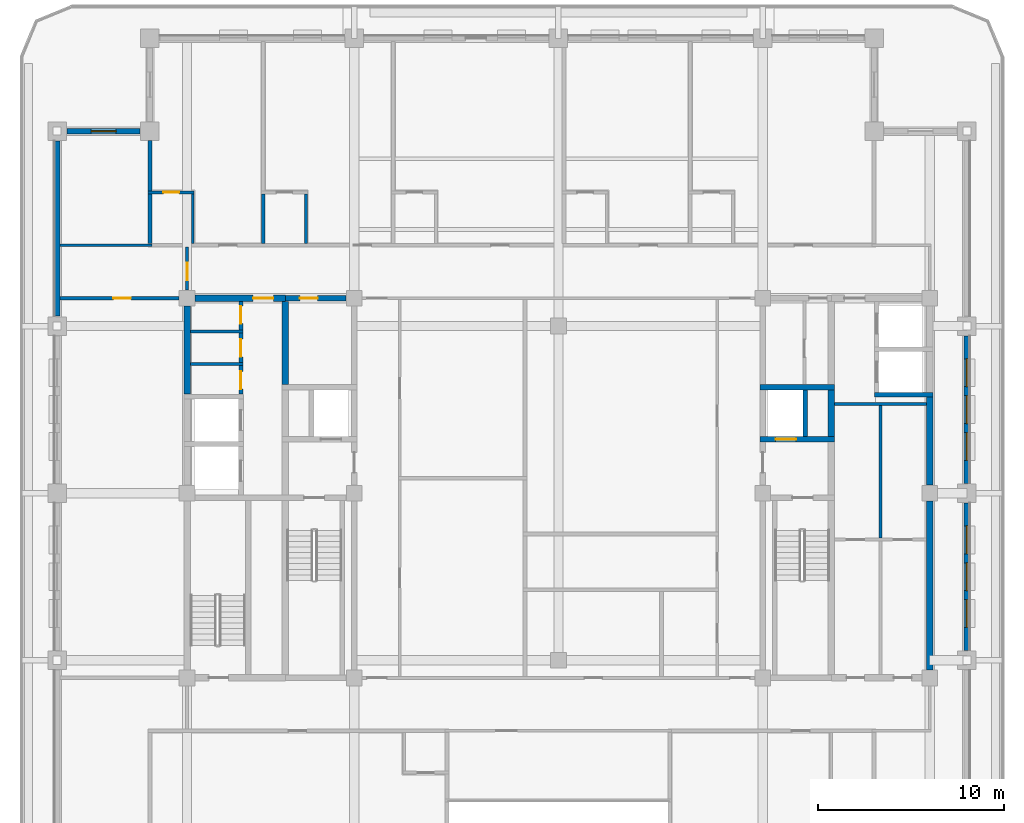
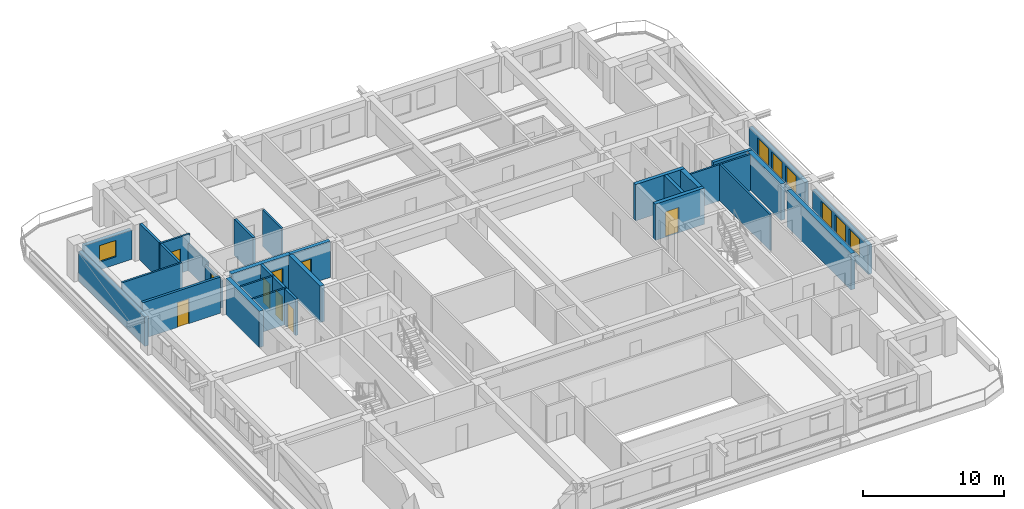
# One storey, part 5 of 14: 31 walls, 9 doors, 7 windows, 16 openings.
"""IFC4 building model written with IfcOpenShell, lengths in metres."""

from ifc_helpers import new_model, si_unit, direction, frame, frame_2d, origin, place, context, subcontext, project, spatial, rectangle, extrude, material, layer, layer_set, type_object, element, fill, save


model = new_model("IFC4")

# Units and contexts
model_context = context("Model", 3, precision=1e-05, world=origin(), true_north=direction((0.0, 1.0)))
body_context = subcontext(model_context, "Body", "Model", "MODEL_VIEW")
ifc_project = project(units=[si_unit("LENGTHUNIT", "METRE"), si_unit("AREAUNIT", "SQUARE_METRE"), si_unit("VOLUMEUNIT", "CUBIC_METRE"), si_unit("PLANEANGLEUNIT", "RADIAN"), si_unit("MASSUNIT", "GRAM", prefix="KILO")], contexts=[model_context])

# Site, building, storey
site_placement = place(None, origin())
site = spatial("IfcSite", under=ifc_project, at=site_placement, CompositionType="ELEMENT")
building_placement = place(site_placement, origin())
building = spatial("IfcBuilding", under=site, at=building_placement, Name="Zulmaris Gate Convention Tower", CompositionType="ELEMENT")
storey_placement = place(building_placement, frame((0.0, 0.0, 215.260009765625)))
storey = spatial("IfcBuildingStorey", under=building, at=storey_placement, Name="L56", CompositionType="ELEMENT", Elevation=215.260009765625)

# Walls
ifc_material_1 = material(Name="Concrete C50/60", Category="concrete")
ifc_layer_1 = layer(ifc_material_1, 0.25, Name="Concrete C50/60")
ifc_layer_set_1 = layer_set([ifc_layer_1], Name="Concrete C50/60")
wall_type_1 = type_object("IfcWallType", Name="CORE-250", PredefinedType="SOLIDWALL", material=ifc_layer_set_1)
wall_1_placement = place(storey_placement, frame((17.02490234375, 5.300048828125, 0.0), z_axis=(0.0, 0.0, 1.0), x_axis=(1.0, 0.0, 0.0)))
element("IfcWall", 1, at=wall_1_placement, inside=storey, type_object=wall_type_1, Name="WL-L56-011", PredefinedType="SOLIDWALL", context=body_context, shape_type="SweptSolid", body=[
    extrude(rectangle(XDim=3.150146484375, YDim=0.25, at=frame_2d((1.5751953125, 0.0))), origin(), (0.0, 0.0, 1.0), 3.14990234375),
])
wall_2_placement = place(storey_placement, frame((13.300048828125, 3.052001953125, 0.0), z_axis=(0.0, 0.0, 1.0), x_axis=(0.0, 1.0, 0.0)))
element("IfcWall", 2, at=wall_2_placement, inside=storey, type_object=wall_type_1, Name="WL-L56-068", PredefinedType="SOLIDWALL", context=body_context, shape_type="SweptSolid", body=[
    extrude(rectangle(XDim=2.49609375, YDim=0.25, at=frame_2d((1.248046875, 0.0))), origin(), (0.0, 0.0, 1.0), 3.14990234375),
])

# Wall, opening, door
ifc_layer_2 = layer(ifc_material_1, 0.300048828125, Name="Concrete C50/60")
ifc_layer_set_2 = layer_set([ifc_layer_2], Name="Concrete C50/60")
wall_type_2 = type_object("IfcWallType", Name="CORE-300", PredefinedType="SHEAR", material=ifc_layer_set_2)
wall_3_placement = place(storey_placement, frame((10.85009765625, 2.89990234375, 0.0), z_axis=(0.0, 0.0, 1.0), x_axis=(1.0, 0.0, 0.0)))
wall_3 = element("IfcWall", 3, at=wall_3_placement, inside=storey, type_object=wall_type_2, Name="WL-L56-009", PredefinedType="SHEAR", context=body_context, shape_type="SweptSolid", body=[
    extrude(rectangle(XDim=4.02490234375, YDim=0.300048828125, at=frame_2d((2.012451171875, 0.0))), origin(), (0.0, 0.0, 1.0), 3.14990234375),
])
opening_1_placement = place(wall_3_placement, frame((0.85009765625, 0.0, 0.0)))
opening_1 = element("IfcOpeningElement", 4, at=opening_1_placement, cuts=wall_3, Name="Opening D-06", PredefinedType="OPENING", context=body_context, shape_type="SweptSolid", body=[
    extrude(rectangle(XDim=1.10009765625, YDim=2.199951171875, at=frame_2d((0.550048828125, 1.10009765625))), frame((0.0, 0.16015625, 0.0), z_axis=(0.0, -1.0, 0.0), x_axis=(1.0, 0.0, 0.0)), (0.0, 0.0, 1.0), 0.320068359375),
])
ifc_material_2 = material(Name="Brushed Stainless Steel", Category="steel")
door_type_1 = type_object("IfcDoorType", Name="LD-1100", OperationType="NOTDEFINED", PredefinedType="DOOR", material=ifc_material_2)
door_1_placement = place(opening_1_placement, origin())
door_1 = element("IfcDoor", 5, at=door_1_placement, inside=storey, type_object=door_type_1, Name="L56 Lift Landing Door LF-02 06", OperationType="SLIDING_TO_RIGHT", OverallHeight=2.199951171875, OverallWidth=1.10009765625, PredefinedType="DOOR", context=body_context, shape_type="SweptSolid", body=[
    extrude(rectangle(XDim=1.10009765625, YDim=2.199951171875, at=frame_2d((0.550048828125, 1.10009765625))), frame((0.0, 0.02490234375, 0.0), z_axis=(0.0, -1.0, 0.0), x_axis=(1.0, 0.0, 0.0)), (0.0, 0.0, 1.0), 0.050048828125),
])
fill(opening_1, door_1)

# Wall
wall_4_placement = place(storey_placement, frame((10.85009765625, 5.699951171875, 0.0), z_axis=(0.0, 0.0, 1.0), x_axis=(1.0, 0.0, 0.0)))
element("IfcWall", 6, at=wall_4_placement, inside=storey, type_object=wall_type_2, Name="WL-L56-013", PredefinedType="SHEAR", context=body_context, shape_type="SweptSolid", body=[
    extrude(rectangle(XDim=4.02490234375, YDim=0.300048828125, at=frame_2d((2.012451171875, 0.0))), origin(), (0.0, 0.0, 1.0), 3.14990234375),
])

# Wall, opening, door
wall_5_placement = place(storey_placement, frame((-14.699951171875, 10.5, 0.0), z_axis=(0.0, 0.0, 1.0), x_axis=(1.0, 0.0, 0.0)))
wall_5 = element("IfcWall", 7, at=wall_5_placement, inside=storey, type_object=wall_type_2, Name="WL-L56-016", PredefinedType="SHEAR", context=body_context, shape_type="SweptSolid", body=[
    extrude(rectangle(XDim=3.27099609375, YDim=0.300048828125, at=frame_2d((1.635498046875, 0.0))), origin(), (0.0, 0.0, 1.0), 3.14990234375),
])
opening_2_placement = place(wall_5_placement, frame((0.77490234375, 0.0, 0.0)))
opening_2 = element("IfcOpeningElement", 8, at=opening_2_placement, cuts=wall_5, Name="Opening D-11", PredefinedType="OPENING", context=body_context, shape_type="SweptSolid", body=[
    extrude(rectangle(XDim=0.949951171875, YDim=2.14990234375, at=frame_2d((0.47509765625, 1.074951171875))), frame((0.0, 0.16015625, 0.0), z_axis=(0.0, -1.0, 0.0), x_axis=(1.0, 0.0, 0.0)), (0.0, 0.0, 1.0), 0.320068359375),
])
ifc_material_3 = material(Name="Fire-Rated Timber", Category="wood")
door_type_2 = type_object("IfcDoorType", Name="DR-950-FD", OperationType="NOTDEFINED", PredefinedType="DOOR", material=ifc_material_3)
door_2_placement = place(opening_2_placement, origin())
door_2 = element("IfcDoor", 9, at=door_2_placement, inside=storey, type_object=door_type_2, Name="L56 Core Archive Door 07", OperationType="SINGLE_SWING_RIGHT", OverallHeight=2.14990234375, OverallWidth=0.949951171875, PredefinedType="DOOR", context=body_context, shape_type="SweptSolid", body=[
    extrude(rectangle(XDim=0.949951171875, YDim=2.14990234375, at=frame_2d((0.47509765625, 1.074951171875))), frame((0.0, 0.02490234375, 0.0), z_axis=(0.0, -1.0, 0.0), x_axis=(1.0, 0.0, 0.0)), (0.0, 0.0, 1.0), 0.050048828125),
])
fill(opening_2, door_2)

ifc_material_4 = material(Name="Concrete C55/67", Category="concrete")
ifc_layer_3 = layer(ifc_material_4, 0.35009765625, Name="Concrete C55/67")
ifc_layer_set_3 = layer_set([ifc_layer_3], Name="Concrete C55/67")
wall_type_3 = type_object("IfcWallType", Name="CORE-350", PredefinedType="SHEAR", material=ifc_layer_set_3)
wall_6_placement = place(storey_placement, frame((-19.571044921875, 10.5, 0.0), z_axis=(0.0, 0.0, 1.0), x_axis=(1.0, 0.0, 0.0)))
wall_6 = element("IfcWall", 10, at=wall_6_placement, inside=storey, type_object=wall_type_3, Name="WL-L56-015", PredefinedType="SHEAR", context=body_context, shape_type="SweptSolid", body=[
    extrude(rectangle(XDim=4.87109375, YDim=0.35009765625, at=frame_2d((2.435546875, 0.0))), origin(), (0.0, 0.0, 1.0), 3.14990234375),
])
opening_3_placement = place(wall_6_placement, frame((3.12109375, 0.0, 0.0)))
opening_3 = element("IfcOpeningElement", 11, at=opening_3_placement, cuts=wall_6, Name="Opening D-08", PredefinedType="OPENING", context=body_context, shape_type="SweptSolid", body=[
    extrude(rectangle(XDim=1.10009765625, YDim=2.14990234375, at=frame_2d((0.550048828125, 1.074951171875))), frame((0.0, 0.18505859375, 0.0), z_axis=(0.0, -1.0, 0.0), x_axis=(1.0, 0.0, 0.0)), (0.0, 0.0, 1.0), 0.3701171875),
])
ifc_material_5 = material(Name="Fire-Rated Steel", Category="steel")
door_type_3 = type_object("IfcDoorType", Name="DR-1100-FD", OperationType="NOTDEFINED", PredefinedType="DOOR", material=ifc_material_5)
door_3_placement = place(opening_3_placement, origin())
door_3 = element("IfcDoor", 12, at=door_3_placement, inside=storey, type_object=door_type_3, Name="L56 High-Rise West Lift Lobby Door 13", OperationType="SINGLE_SWING_RIGHT", OverallHeight=2.14990234375, OverallWidth=1.10009765625, PredefinedType="DOOR", context=body_context, shape_type="SweptSolid", body=[
    extrude(rectangle(XDim=1.10009765625, YDim=2.14990234375, at=frame_2d((0.550048828125, 1.074951171875))), frame((0.0, 0.02490234375, 0.0), z_axis=(0.0, -1.0, 0.0), x_axis=(1.0, 0.0, 0.0)), (0.0, 0.0, 1.0), 0.050048828125),
])
fill(opening_3, door_3)

# Walls
wall_7_placement = place(storey_placement, frame((-20.0, 5.326904296875, 0.0), z_axis=(0.0, 0.0, 1.0), x_axis=(0.0, 1.0, 0.0)))
element("IfcWall", 13, at=wall_7_placement, inside=storey, type_object=wall_type_3, Name="WL-L56-049", PredefinedType="SHEAR", context=body_context, shape_type="SweptSolid", body=[
    extrude(rectangle(XDim=4.744140625, YDim=0.35009765625, at=frame_2d((2.3720703125, 0.0))), origin(), (0.0, 0.0, 1.0), 3.14990234375),
])
wall_8_placement = place(storey_placement, frame((-14.699951171875, 5.85205078125, 0.0), z_axis=(0.0, 0.0, 1.0), x_axis=(0.0, 1.0, 0.0)))
element("IfcWall", 14, at=wall_8_placement, inside=storey, type_object=wall_type_3, Name="WL-L56-056", PredefinedType="SHEAR", context=body_context, shape_type="SweptSolid", body=[
    extrude(rectangle(XDim=4.470947265625, YDim=0.35009765625, at=frame_2d((2.2353515625, 0.0))), origin(), (0.0, 0.0, 1.0), 3.14990234375),
])
wall_9_placement = place(storey_placement, frame((14.699951171875, 3.052001953125, 0.0), z_axis=(0.0, 0.0, 1.0), x_axis=(0.0, 1.0, 0.0)))
element("IfcWall", 15, at=wall_9_placement, inside=storey, type_object=wall_type_3, Name="WL-L56-071", PredefinedType="SHEAR", context=body_context, shape_type="SweptSolid", body=[
    extrude(rectangle(XDim=2.49609375, YDim=0.35009765625, at=frame_2d((1.248046875, 0.0))), origin(), (0.0, 0.0, 1.0), 3.14990234375),
])
wall_10_placement = place(storey_placement, frame((20.0, -9.52099609375, 0.0), z_axis=(0.0, 0.0, 1.0), x_axis=(0.0, 1.0, 0.0)))
element("IfcWall", 16, at=wall_10_placement, inside=storey, type_object=wall_type_3, Name="WL-L56-075", PredefinedType="SHEAR", context=body_context, shape_type="SweptSolid", body=[
    extrude(rectangle(XDim=9.092041015625, YDim=0.35009765625, at=frame_2d((4.5458984375, 0.0))), origin(), (0.0, 0.0, 1.0), 3.14990234375),
])
wall_11_placement = place(storey_placement, frame((20.0, 0.428955078125, 0.0), z_axis=(0.0, 0.0, 1.0), x_axis=(0.0, 1.0, 0.0)))
element("IfcWall", 17, at=wall_11_placement, inside=storey, type_object=wall_type_3, Name="WL-L56-075S1", PredefinedType="SHEAR", context=body_context, shape_type="SweptSolid", body=[
    extrude(rectangle(XDim=4.744140625, YDim=0.35009765625, at=frame_2d((2.3720703125, 0.0))), origin(), (0.0, 0.0, 1.0), 3.14990234375),
])
ifc_material_6 = material(Name="Gypsum Metal Stud Partition")
ifc_layer_4 = layer(ifc_material_6, 0.14990234375, Name="Gypsum Metal Stud Partition")
ifc_layer_set_4 = layer_set([ifc_layer_4], Name="Gypsum Metal Stud Partition")
wall_type_4 = type_object("IfcWallType", Name="PART-150", PredefinedType="PARTITIONING", material=ifc_layer_set_4)
wall_12_placement = place(storey_placement, frame((14.8779296875, 4.800048828125, 0.0), z_axis=(0.0, 0.0, 1.0), x_axis=(1.0, 0.0, 0.0)))
element("IfcWall", 18, at=wall_12_placement, inside=storey, type_object=wall_type_4, Name="WL-L56-033", PredefinedType="PARTITIONING", context=body_context, shape_type="SweptSolid", body=[
    extrude(rectangle(XDim=4.944091796875, YDim=0.14990234375, at=frame_2d((2.47216796875, 0.0))), origin(), (0.0, 0.0, 1.0), 3.14990234375),
])
for number, where, z_axis, x_axis, name in (
    (19, (-19.822021484375, 6.949951171875, 0.0), (0.0, 0.0, 1.0), (1.0, 0.0, 0.0), "WL-L56-034"),
    (20, (-19.822021484375, 8.699951171875, 0.0), (0.0, 0.0, 1.0), (1.0, 0.0, 0.0), "WL-L56-035"),
):
    element("IfcWall", number, at=place(storey_placement, frame(where, z_axis=z_axis, x_axis=x_axis)), inside=storey, type_object=wall_type_4, Name=name, PredefinedType="PARTITIONING", context=body_context, shape_type="SweptSolid", body=[
        extrude(rectangle(XDim=2.822021484375, YDim=0.14990234375, at=frame_2d((1.4111328125, 0.0))), origin(), (0.0, 0.0, 1.0), 3.14990234375),
    ])
wall_13_placement = place(storey_placement, frame((-26.8349609375, 13.35009765625, 0.0), z_axis=(0.0, 0.0, 1.0), x_axis=(1.0, 0.0, 0.0)))
element("IfcWall", 21, at=wall_13_placement, inside=storey, type_object=wall_type_4, Name="WL-L56-038", PredefinedType="PARTITIONING", context=body_context, shape_type="SweptSolid", body=[
    extrude(rectangle(XDim=4.93505859375, YDim=0.14990234375, at=frame_2d((2.467529296875, 0.0))), origin(), (0.0, 0.0, 1.0), 3.14990234375),
])

# Wall, opening, door
wall_14_placement = place(storey_placement, frame((-22.10009765625, 16.199951171875, 0.0), z_axis=(0.0, 0.0, 1.0), x_axis=(1.0, 0.0, 0.0)))
wall_14 = element("IfcWall", 22, at=wall_14_placement, inside=storey, type_object=wall_type_4, Name="WL-L56-041", PredefinedType="PARTITIONING", context=body_context, shape_type="SweptSolid", body=[
    extrude(rectangle(XDim=2.47509765625, YDim=0.14990234375, at=frame_2d((1.237548828125, 0.0))), origin(), (0.0, 0.0, 1.0), 3.14990234375),
])
opening_4_placement = place(wall_14_placement, frame((0.824951171875, 0.0, 0.0)))
opening_4 = element("IfcOpeningElement", 23, at=opening_4_placement, cuts=wall_14, Name="Opening D-17", PredefinedType="OPENING", context=body_context, shape_type="SweptSolid", body=[
    extrude(rectangle(XDim=0.85009765625, YDim=2.10009765625, at=frame_2d((0.425048828125, 1.050048828125))), frame((0.0, 0.0849609375, 0.0), z_axis=(0.0, -1.0, 0.0), x_axis=(1.0, 0.0, 0.0)), (0.0, 0.0, 1.0), 0.169921875),
])
ifc_material_7 = material(Name="Moisture-Resistant Hardwood Timber", Category="wood")
door_type_4 = type_object("IfcDoorType", Name="DR-850", OperationType="NOTDEFINED", PredefinedType="DOOR", material=ifc_material_7)
door_4_placement = place(opening_4_placement, origin())
door_4 = element("IfcDoor", 24, at=door_4_placement, inside=storey, type_object=door_type_4, Name="L56 En-Suite Door 29", OperationType="SINGLE_SWING_RIGHT", OverallHeight=2.10009765625, OverallWidth=0.85009765625, PredefinedType="DOOR", context=body_context, shape_type="SweptSolid", body=[
    extrude(rectangle(XDim=0.85009765625, YDim=2.10009765625, at=frame_2d((0.425048828125, 1.050048828125))), frame((0.0, 0.02490234375, 0.0), z_axis=(0.0, -1.0, 0.0), x_axis=(1.0, 0.0, 0.0)), (0.0, 0.0, 1.0), 0.050048828125),
])
fill(opening_4, door_4)

wall_15_placement = place(storey_placement, frame((-20.0, 10.930908203125, 0.0), z_axis=(0.0, 0.0, 1.0), x_axis=(0.0, 1.0, 0.0)))
wall_15 = element("IfcWall", 25, at=wall_15_placement, inside=storey, type_object=wall_type_4, Name="WL-L56-082", PredefinedType="PARTITIONING", context=body_context, shape_type="SweptSolid", body=[
    extrude(rectangle(XDim=2.316162109375, YDim=0.14990234375, at=frame_2d((1.158203125, 0.0))), origin(), (0.0, 0.0, 1.0), 2.341796875),
])
opening_5_placement = place(wall_15_placement, frame((0.52392578125, 0.0, 0.0)))
opening_5 = element("IfcOpeningElement", 26, at=opening_5_placement, cuts=wall_15, Name="Opening D-11", PredefinedType="OPENING", context=body_context, shape_type="SweptSolid", body=[
    extrude(rectangle(XDim=0.949951171875, YDim=2.14990234375, at=frame_2d((0.47509765625, 1.074951171875))), frame((0.0, 0.0849609375, 0.0), z_axis=(0.0, -1.0, 0.0), x_axis=(1.0, 0.0, 0.0)), (0.0, 0.0, 1.0), 0.169921875),
])
door_5_placement = place(opening_5_placement, origin())
door_5 = element("IfcDoor", 27, at=door_5_placement, inside=storey, type_object=door_type_2, Name="L56 West Spur Door 51", OperationType="SINGLE_SWING_RIGHT", OverallHeight=2.14990234375, OverallWidth=0.949951171875, PredefinedType="DOOR", context=body_context, shape_type="SweptSolid", body=[
    extrude(rectangle(XDim=0.949951171875, YDim=2.14990234375, at=frame_2d((0.47509765625, 1.074951171875))), frame((0.0, 0.02490234375, 0.0), z_axis=(0.0, -1.0, 0.0), x_axis=(1.0, 0.0, 0.0)), (0.0, 0.0, 1.0), 0.050048828125),
])
fill(opening_5, door_5)

# Walls
wall_16_placement = place(storey_placement, frame((-19.699951171875, 13.452880859375, 0.0), z_axis=(0.0, 0.0, 1.0), x_axis=(0.0, 1.0, 0.0)))
element("IfcWall", 28, at=wall_16_placement, inside=storey, type_object=wall_type_4, Name="WL-L56-083", PredefinedType="PARTITIONING", context=body_context, shape_type="SweptSolid", body=[
    extrude(rectangle(XDim=2.669189453125, YDim=0.14990234375, at=frame_2d((1.33447265625, 0.0))), origin(), (0.0, 0.0, 1.0), 2.341796875),
])
wall_17_placement = place(storey_placement, frame((-13.60009765625, 13.452880859375, 0.0), z_axis=(0.0, 0.0, 1.0), x_axis=(0.0, 1.0, 0.0)))
element("IfcWall", 29, at=wall_17_placement, inside=storey, type_object=wall_type_4, Name="WL-L56-089", PredefinedType="PARTITIONING", context=body_context, shape_type="SweptSolid", body=[
    extrude(rectangle(XDim=2.669189453125, YDim=0.14990234375, at=frame_2d((1.33447265625, 0.0))), origin(), (0.0, 0.0, 1.0), 3.14990234375),
])
wall_18_placement = place(storey_placement, frame((17.35009765625, -2.422119140625, 0.0), z_axis=(0.0, 0.0, 1.0), x_axis=(0.0, 1.0, 0.0)))
element("IfcWall", 30, at=wall_18_placement, inside=storey, type_object=wall_type_4, Name="WL-L56-123", PredefinedType="PARTITIONING", context=body_context, shape_type="SweptSolid", body=[
    extrude(rectangle(XDim=7.14404296875, YDim=0.14990234375, at=frame_2d((3.572021484375, 0.0))), origin(), (0.0, 0.0, 1.0), 3.14990234375),
])

# Wall, opening, door
ifc_material_8 = material(Name="Autoclaved Aerated Concrete Block and Plasterboard", Category="concrete")
ifc_layer_5 = layer(ifc_material_8, 0.199951171875, Name="Autoclaved Aerated Concrete Block and Plasterboard")
ifc_layer_set_5 = layer_set([ifc_layer_5], Name="Autoclaved Aerated Concrete Block and Plasterboard")
wall_type_5 = type_object("IfcWallType", Name="PART-200", PredefinedType="PARTITIONING", material=ifc_layer_set_5)
wall_19_placement = place(storey_placement, frame((-26.8349609375, 10.5, 0.0), z_axis=(0.0, 0.0, 1.0), x_axis=(1.0, 0.0, 0.0)))
wall_19 = element("IfcWall", 31, at=wall_19_placement, inside=storey, type_object=wall_type_5, Name="WL-L56-036", PredefinedType="PARTITIONING", context=body_context, shape_type="SweptSolid", body=[
    extrude(rectangle(XDim=6.404052734375, YDim=0.199951171875, at=frame_2d((3.2021484375, 0.0))), origin(), (0.0, 0.0, 1.0), 3.14990234375),
])
opening_6_placement = place(wall_19_placement, frame((2.860107421875, 0.0, 0.0)))
opening_6 = element("IfcOpeningElement", 32, at=opening_6_placement, cuts=wall_19, Name="Opening D-11", PredefinedType="OPENING", context=body_context, shape_type="SweptSolid", body=[
    extrude(rectangle(XDim=0.949951171875, YDim=2.14990234375, at=frame_2d((0.47509765625, 1.074951171875))), frame((0.0, 0.10986328125, 0.0), z_axis=(0.0, -1.0, 0.0), x_axis=(1.0, 0.0, 0.0)), (0.0, 0.0, 1.0), 0.219970703125),
])
door_6_placement = place(opening_6_placement, origin())
door_6 = element("IfcDoor", 33, at=door_6_placement, inside=storey, type_object=door_type_2, Name="L56 Sunset Lounge Door 52", OperationType="SINGLE_SWING_LEFT", OverallHeight=2.14990234375, OverallWidth=0.949951171875, PredefinedType="DOOR", context=body_context, shape_type="SweptSolid", body=[
    extrude(rectangle(XDim=0.949951171875, YDim=2.14990234375, at=frame_2d((0.47509765625, 1.074951171875))), frame((0.0, 0.02490234375, 0.0), z_axis=(0.0, -1.0, 0.0), x_axis=(1.0, 0.0, 0.0)), (0.0, 0.0, 1.0), 0.050048828125),
])
fill(opening_6, door_6)

# Walls
wall_20_placement = place(storey_placement, frame((-22.0, 13.452880859375, 0.0), z_axis=(0.0, 0.0, 1.0), x_axis=(0.0, 1.0, 0.0)))
element("IfcWall", 34, at=wall_20_placement, inside=storey, type_object=wall_type_5, Name="WL-L56-079", PredefinedType="PARTITIONING", context=body_context, shape_type="SweptSolid", body=[
    extrude(rectangle(XDim=2.669189453125, YDim=0.199951171875, at=frame_2d((1.33447265625, 0.0))), origin(), (0.0, 0.0, 1.0), 3.14990234375),
])
wall_21_placement = place(storey_placement, frame((-22.0, 16.278076171875, 0.0), z_axis=(0.0, 0.0, 1.0), x_axis=(0.0, 1.0, 0.0)))
element("IfcWall", 35, at=wall_21_placement, inside=storey, type_object=wall_type_5, Name="WL-L56-080", PredefinedType="PARTITIONING", context=body_context, shape_type="SweptSolid", body=[
    extrude(rectangle(XDim=2.7158203125, YDim=0.199951171875, at=frame_2d((1.35791015625, 0.0))), origin(), (0.0, 0.0, 1.0), 3.14990234375),
])

# Wall, opening, door
wall_22_placement = place(storey_placement, frame((-17.10009765625, 5.327880859375, 0.0), z_axis=(0.0, 0.0, 1.0), x_axis=(0.0, 1.0, 0.0)))
wall_22 = element("IfcWall", 36, at=wall_22_placement, inside=storey, type_object=wall_type_5, Name="WL-L56-084", PredefinedType="PARTITIONING", context=body_context, shape_type="SweptSolid", body=[
    extrude(rectangle(XDim=1.544189453125, YDim=0.199951171875, at=frame_2d((0.77197265625, 0.0))), origin(), (0.0, 0.0, 1.0), 3.14990234375),
])
opening_7_placement = place(wall_22_placement, frame((0.277099609375, 0.0, 0.0)))
opening_7 = element("IfcOpeningElement", 37, at=opening_7_placement, cuts=wall_22, Name="Opening D-11", PredefinedType="OPENING", context=body_context, shape_type="SweptSolid", body=[
    extrude(rectangle(XDim=0.949951171875, YDim=2.14990234375, at=frame_2d((0.47509765625, 1.074951171875))), frame((0.0, 0.10986328125, 0.0), z_axis=(0.0, -1.0, 0.0), x_axis=(1.0, 0.0, 0.0)), (0.0, 0.0, 1.0), 0.219970703125),
])
door_7_placement = place(opening_7_placement, origin())
door_7 = element("IfcDoor", 38, at=door_7_placement, inside=storey, type_object=door_type_2, Name="L56 Linen Closet Door 16", OperationType="SINGLE_SWING_LEFT", OverallHeight=2.14990234375, OverallWidth=0.949951171875, PredefinedType="DOOR", context=body_context, shape_type="SweptSolid", body=[
    extrude(rectangle(XDim=0.949951171875, YDim=2.14990234375, at=frame_2d((0.47509765625, 1.074951171875))), frame((0.0, 0.02490234375, 0.0), z_axis=(0.0, -1.0, 0.0), x_axis=(1.0, 0.0, 0.0)), (0.0, 0.0, 1.0), 0.050048828125),
])
fill(opening_7, door_7)

wall_23_placement = place(storey_placement, frame((-17.10009765625, 7.028076171875, 0.0), z_axis=(0.0, 0.0, 1.0), x_axis=(0.0, 1.0, 0.0)))
wall_23 = element("IfcWall", 39, at=wall_23_placement, inside=storey, type_object=wall_type_5, Name="WL-L56-085", PredefinedType="PARTITIONING", context=body_context, shape_type="SweptSolid", body=[
    extrude(rectangle(XDim=1.593994140625, YDim=0.199951171875, at=frame_2d((0.796875, 0.0))), origin(), (0.0, 0.0, 1.0), 3.14990234375),
])
opening_8_placement = place(wall_23_placement, frame((0.31689453125, 0.0, 0.0)))
opening_8 = element("IfcOpeningElement", 40, at=opening_8_placement, cuts=wall_23, Name="Opening D-11", PredefinedType="OPENING", context=body_context, shape_type="SweptSolid", body=[
    extrude(rectangle(XDim=0.949951171875, YDim=2.14990234375, at=frame_2d((0.47509765625, 1.074951171875))), frame((0.0, 0.10986328125, 0.0), z_axis=(0.0, -1.0, 0.0), x_axis=(1.0, 0.0, 0.0)), (0.0, 0.0, 1.0), 0.219970703125),
])
door_8_placement = place(opening_8_placement, origin())
door_8 = element("IfcDoor", 41, at=door_8_placement, inside=storey, type_object=door_type_2, Name="L56 Ice Pantry Door 15", OperationType="SINGLE_SWING_RIGHT", OverallHeight=2.14990234375, OverallWidth=0.949951171875, PredefinedType="DOOR", context=body_context, shape_type="SweptSolid", body=[
    extrude(rectangle(XDim=0.949951171875, YDim=2.14990234375, at=frame_2d((0.47509765625, 1.074951171875))), frame((0.0, 0.02490234375, 0.0), z_axis=(0.0, -1.0, 0.0), x_axis=(1.0, 0.0, 0.0)), (0.0, 0.0, 1.0), 0.050048828125),
])
fill(opening_8, door_8)

wall_24_placement = place(storey_placement, frame((-17.10009765625, 8.778076171875, 0.0), z_axis=(0.0, 0.0, 1.0), x_axis=(0.0, 1.0, 0.0)))
wall_24 = element("IfcWall", 42, at=wall_24_placement, inside=storey, type_object=wall_type_5, Name="WL-L56-086", PredefinedType="PARTITIONING", context=body_context, shape_type="SweptSolid", body=[
    extrude(rectangle(XDim=1.5439453125, YDim=0.199951171875, at=frame_2d((0.77197265625, 0.0))), origin(), (0.0, 0.0, 1.0), 3.14990234375),
])
opening_9_placement = place(wall_24_placement, frame((0.346923828125, 0.0, 0.0)))
opening_9 = element("IfcOpeningElement", 43, at=opening_9_placement, cuts=wall_24, Name="Opening D-11", PredefinedType="OPENING", context=body_context, shape_type="SweptSolid", body=[
    extrude(rectangle(XDim=0.949951171875, YDim=2.14990234375, at=frame_2d((0.47509765625, 1.074951171875))), frame((0.0, 0.10986328125, 0.0), z_axis=(0.0, -1.0, 0.0), x_axis=(1.0, 0.0, 0.0)), (0.0, 0.0, 1.0), 0.219970703125),
])
door_9_placement = place(opening_9_placement, origin())
door_9 = element("IfcDoor", 44, at=door_9_placement, inside=storey, type_object=door_type_2, Name="L56 Housekeeping Door 14", OperationType="SINGLE_SWING_LEFT", OverallHeight=2.14990234375, OverallWidth=0.949951171875, PredefinedType="DOOR", context=body_context, shape_type="SweptSolid", body=[
    extrude(rectangle(XDim=0.949951171875, YDim=2.14990234375, at=frame_2d((0.47509765625, 1.074951171875))), frame((0.0, 0.02490234375, 0.0), z_axis=(0.0, -1.0, 0.0), x_axis=(1.0, 0.0, 0.0)), (0.0, 0.0, 1.0), 0.050048828125),
])
fill(opening_9, door_9)

# Wall
wall_25_placement = place(storey_placement, frame((-15.89990234375, 13.452880859375, 0.0), z_axis=(0.0, 0.0, 1.0), x_axis=(0.0, 1.0, 0.0)))
element("IfcWall", 45, at=wall_25_placement, inside=storey, type_object=wall_type_5, Name="WL-L56-087", PredefinedType="PARTITIONING", context=body_context, shape_type="SweptSolid", body=[
    extrude(rectangle(XDim=2.669189453125, YDim=0.199951171875, at=frame_2d((1.33447265625, 0.0))), origin(), (0.0, 0.0, 1.0), 3.14990234375),
])

# Wall, opening, window
ifc_material_9 = material(Name="Precast concrete C40/50", Category="concrete")
ifc_layer_6 = layer(ifc_material_9, 0.300048828125, Name="Precast concrete C40/50")
ifc_layer_set_6 = layer_set([ifc_layer_6], Name="Precast concrete C40/50")
wall_type_6 = type_object("IfcWallType", Name="PRECAST-PIER-300", PredefinedType="STANDARD", material=ifc_layer_set_6)
wall_26_placement = place(storey_placement, frame((-22.530029296875, 19.5, 0.0), z_axis=(0.0, 0.0, 1.0), x_axis=(-1.0, 0.0, 0.0)))
wall_26 = element("IfcWall", 46, at=wall_26_placement, inside=storey, type_object=wall_type_6, Name="EW-L56-NOTCH-NW2_0", PredefinedType="STANDARD", context=body_context, shape_type="SweptSolid", body=[
    extrude(rectangle(XDim=3.93994140625, YDim=0.300048828125, at=frame_2d((1.969970703125, 0.0))), origin(), (0.0, 0.0, 1.0), 2.5419921875),
])
opening_10_placement = place(wall_26_placement, frame((1.294921875, 0.0, 0.679931640625)))
opening_10 = element("IfcOpeningElement", 47, at=opening_10_placement, cuts=wall_26, Name="Opening W-10", PredefinedType="OPENING", context=body_context, shape_type="SweptSolid", body=[
    extrude(rectangle(XDim=1.35009765625, YDim=1.419921875, at=frame_2d((0.675048828125, 0.7099609375))), frame((0.0, 0.16015625, 0.0), z_axis=(0.0, -1.0, 0.0), x_axis=(1.0, 0.0, 0.0)), (0.0, 0.0, 1.0), 0.320068359375),
])
ifc_material_10 = material(Name="Low-E Laminated Double Glazing in Aluminium Frame", Category="aluminium")
window_type_1 = type_object("IfcWindowType", Name="WIN-1350x2000", PartitioningType="SINGLE_PANEL", PredefinedType="WINDOW", material=ifc_material_10)
window_1_placement = place(opening_10_placement, origin())
window_1 = element("IfcWindow", 48, at=window_1_placement, inside=storey, type_object=window_type_1, Name="WN-EW-L56-NOTCH-NW2_0", OverallHeight=1.419921875, OverallWidth=1.35009765625, PartitioningType="SINGLE_PANEL", PredefinedType="WINDOW", context=body_context, shape_type="SweptSolid", body=[
    extrude(rectangle(XDim=1.35009765625, YDim=1.419921875, at=frame_2d((0.675048828125, 0.7099609375))), frame((0.0, 0.030029296875, 0.0), z_axis=(0.0, -1.0, 0.0), x_axis=(1.0, 0.0, 0.0)), (0.0, 0.0, 1.0), 0.06005859375),
])
fill(opening_10, window_1)

# Wall, openings, windows
wall_27_placement = place(storey_placement, frame((22.0, -8.469970703125, 0.0), z_axis=(0.0, 0.0, 1.0), x_axis=(0.0, 1.0, 0.0)))
wall_27 = element("IfcWall", 49, at=wall_27_placement, inside=storey, type_object=wall_type_6, Name="EW-L56-E-1_0", PredefinedType="STANDARD", context=body_context, shape_type="SweptSolid", body=[
    extrude(rectangle(XDim=7.93994140625, YDim=0.300048828125, at=frame_2d((3.969970703125, 0.0))), origin(), (0.0, 0.0, 1.0), 2.5419921875),
])
opening_11_placement = place(wall_27_placement, frame((1.235107421875, 0.0, 0.719970703125)))
opening_11 = element("IfcOpeningElement", 50, at=opening_11_placement, cuts=wall_27, Name="Opening W-03", PredefinedType="OPENING", context=body_context, shape_type="SweptSolid", body=[
    extrude(rectangle(XDim=1.5, YDim=1.60009765625, at=frame_2d((0.75, 0.800048828125))), frame((0.0, 0.16015625, 0.0), z_axis=(0.0, -1.0, 0.0), x_axis=(1.0, 0.0, 0.0)), (0.0, 0.0, 1.0), 0.320068359375),
])
opening_12_placement = place(wall_27_placement, frame((3.219970703125, 0.0, 0.719970703125)))
opening_12 = element("IfcOpeningElement", 51, at=opening_12_placement, cuts=wall_27, Name="Opening W-03", PredefinedType="OPENING", context=body_context, shape_type="SweptSolid", body=[
    extrude(rectangle(XDim=1.5, YDim=1.60009765625, at=frame_2d((0.75, 0.800048828125))), frame((0.0, 0.16015625, 0.0), z_axis=(0.0, -1.0, 0.0), x_axis=(1.0, 0.0, 0.0)), (0.0, 0.0, 1.0), 0.320068359375),
])
opening_13_placement = place(wall_27_placement, frame((5.205078125, 0.0, 0.719970703125)))
opening_13 = element("IfcOpeningElement", 52, at=opening_13_placement, cuts=wall_27, Name="Opening W-03", PredefinedType="OPENING", context=body_context, shape_type="SweptSolid", body=[
    extrude(rectangle(XDim=1.5, YDim=1.60009765625, at=frame_2d((0.75, 0.800048828125))), frame((0.0, 0.16015625, 0.0), z_axis=(0.0, -1.0, 0.0), x_axis=(1.0, 0.0, 0.0)), (0.0, 0.0, 1.0), 0.320068359375),
])
window_type_2 = type_object("IfcWindowType", Name="WIN-1500x2100", PartitioningType="SINGLE_PANEL", PredefinedType="WINDOW", material=ifc_material_10)
window_2_placement = place(opening_11_placement, origin())
window_2 = element("IfcWindow", 53, at=window_2_placement, inside=storey, type_object=window_type_2, Name="WN-EW-L56-E-1_0-1", OverallHeight=1.60009765625, OverallWidth=1.5, PartitioningType="SINGLE_PANEL", PredefinedType="WINDOW", context=body_context, shape_type="SweptSolid", body=[
    extrude(rectangle(XDim=1.5, YDim=1.60009765625, at=frame_2d((0.75, 0.800048828125))), frame((0.0, 0.030029296875, 0.0), z_axis=(0.0, -1.0, 0.0), x_axis=(1.0, 0.0, 0.0)), (0.0, 0.0, 1.0), 0.06005859375),
])
fill(opening_11, window_2)
window_3_placement = place(opening_12_placement, origin())
window_3 = element("IfcWindow", 54, at=window_3_placement, inside=storey, type_object=window_type_2, Name="WN-EW-L56-E-1_0-2", OverallHeight=1.60009765625, OverallWidth=1.5, PartitioningType="SINGLE_PANEL", PredefinedType="WINDOW", context=body_context, shape_type="SweptSolid", body=[
    extrude(rectangle(XDim=1.5, YDim=1.60009765625, at=frame_2d((0.75, 0.800048828125))), frame((0.0, 0.030029296875, 0.0), z_axis=(0.0, -1.0, 0.0), x_axis=(1.0, 0.0, 0.0)), (0.0, 0.0, 1.0), 0.06005859375),
])
fill(opening_12, window_3)
window_4_placement = place(opening_13_placement, origin())
window_4 = element("IfcWindow", 55, at=window_4_placement, inside=storey, type_object=window_type_2, Name="WN-EW-L56-E-1_0-3", OverallHeight=1.60009765625, OverallWidth=1.5, PartitioningType="SINGLE_PANEL", PredefinedType="WINDOW", context=body_context, shape_type="SweptSolid", body=[
    extrude(rectangle(XDim=1.5, YDim=1.60009765625, at=frame_2d((0.75, 0.800048828125))), frame((0.0, 0.030029296875, 0.0), z_axis=(0.0, -1.0, 0.0), x_axis=(1.0, 0.0, 0.0)), (0.0, 0.0, 1.0), 0.06005859375),
])
fill(opening_13, window_4)

wall_28_placement = place(storey_placement, frame((22.0, 0.530029296875, 0.0), z_axis=(0.0, 0.0, 1.0), x_axis=(0.0, 1.0, 0.0)))
wall_28 = element("IfcWall", 56, at=wall_28_placement, inside=storey, type_object=wall_type_6, Name="EW-L56-E-2_0", PredefinedType="STANDARD", context=body_context, shape_type="SweptSolid", body=[
    extrude(rectangle(XDim=7.93994140625, YDim=0.300048828125, at=frame_2d((3.969970703125, 0.0))), origin(), (0.0, 0.0, 1.0), 2.5419921875),
])
opening_14_placement = place(wall_28_placement, frame((1.235107421875, 0.0, 0.719970703125)))
opening_14 = element("IfcOpeningElement", 57, at=opening_14_placement, cuts=wall_28, Name="Opening W-03", PredefinedType="OPENING", context=body_context, shape_type="SweptSolid", body=[
    extrude(rectangle(XDim=1.5, YDim=1.60009765625, at=frame_2d((0.75, 0.800048828125))), frame((0.0, 0.16015625, 0.0), z_axis=(0.0, -1.0, 0.0), x_axis=(1.0, 0.0, 0.0)), (0.0, 0.0, 1.0), 0.320068359375),
])
opening_15_placement = place(wall_28_placement, frame((3.219970703125, 0.0, 0.719970703125)))
opening_15 = element("IfcOpeningElement", 58, at=opening_15_placement, cuts=wall_28, Name="Opening W-03", PredefinedType="OPENING", context=body_context, shape_type="SweptSolid", body=[
    extrude(rectangle(XDim=1.5, YDim=1.60009765625, at=frame_2d((0.75, 0.800048828125))), frame((0.0, 0.16015625, 0.0), z_axis=(0.0, -1.0, 0.0), x_axis=(1.0, 0.0, 0.0)), (0.0, 0.0, 1.0), 0.320068359375),
])
opening_16_placement = place(wall_28_placement, frame((5.205078125, 0.0, 0.719970703125)))
opening_16 = element("IfcOpeningElement", 59, at=opening_16_placement, cuts=wall_28, Name="Opening W-03", PredefinedType="OPENING", context=body_context, shape_type="SweptSolid", body=[
    extrude(rectangle(XDim=1.5, YDim=1.60009765625, at=frame_2d((0.75, 0.800048828125))), frame((0.0, 0.16015625, 0.0), z_axis=(0.0, -1.0, 0.0), x_axis=(1.0, 0.0, 0.0)), (0.0, 0.0, 1.0), 0.320068359375),
])
window_5_placement = place(opening_14_placement, origin())
window_5 = element("IfcWindow", 60, at=window_5_placement, inside=storey, type_object=window_type_2, Name="WN-EW-L56-E-2_0-1", OverallHeight=1.60009765625, OverallWidth=1.5, PartitioningType="SINGLE_PANEL", PredefinedType="WINDOW", context=body_context, shape_type="SweptSolid", body=[
    extrude(rectangle(XDim=1.5, YDim=1.60009765625, at=frame_2d((0.75, 0.800048828125))), frame((0.0, 0.030029296875, 0.0), z_axis=(0.0, -1.0, 0.0), x_axis=(1.0, 0.0, 0.0)), (0.0, 0.0, 1.0), 0.06005859375),
])
fill(opening_14, window_5)
window_6_placement = place(opening_15_placement, origin())
window_6 = element("IfcWindow", 61, at=window_6_placement, inside=storey, type_object=window_type_2, Name="WN-EW-L56-E-2_0-2", OverallHeight=1.60009765625, OverallWidth=1.5, PartitioningType="SINGLE_PANEL", PredefinedType="WINDOW", context=body_context, shape_type="SweptSolid", body=[
    extrude(rectangle(XDim=1.5, YDim=1.60009765625, at=frame_2d((0.75, 0.800048828125))), frame((0.0, 0.030029296875, 0.0), z_axis=(0.0, -1.0, 0.0), x_axis=(1.0, 0.0, 0.0)), (0.0, 0.0, 1.0), 0.06005859375),
])
fill(opening_15, window_6)
window_7_placement = place(opening_16_placement, origin())
window_7 = element("IfcWindow", 62, at=window_7_placement, inside=storey, type_object=window_type_2, Name="WN-EW-L56-E-2_0-3", OverallHeight=1.60009765625, OverallWidth=1.5, PartitioningType="SINGLE_PANEL", PredefinedType="WINDOW", context=body_context, shape_type="SweptSolid", body=[
    extrude(rectangle(XDim=1.5, YDim=1.60009765625, at=frame_2d((0.75, 0.800048828125))), frame((0.0, 0.030029296875, 0.0), z_axis=(0.0, -1.0, 0.0), x_axis=(1.0, 0.0, 0.0)), (0.0, 0.0, 1.0), 0.06005859375),
])
fill(opening_16, window_7)

# Wall
wall_29_placement = place(storey_placement, frame((-27.0, 18.969970703125, 0.0), z_axis=(0.0, 0.0, 1.0), x_axis=(0.0, -1.0, 0.0)))
element("IfcWall", 63, at=wall_29_placement, inside=storey, type_object=wall_type_6, Name="EW-L56-W-3_0", PredefinedType="STANDARD", context=body_context, shape_type="SweptSolid", body=[
    extrude(rectangle(XDim=9.43994140625, YDim=0.300048828125, at=frame_2d((4.719970703125, 0.0))), origin(), (0.0, 0.0, 1.0), 2.5419921875),
])

save(model, "model.ifc")
